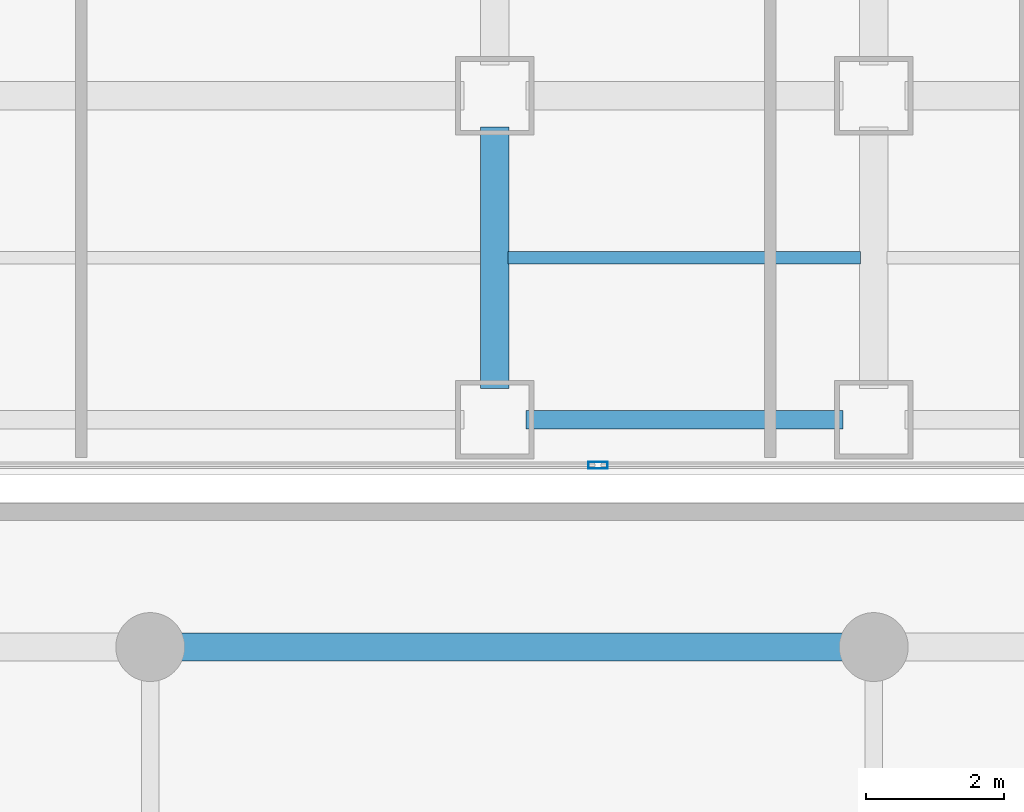
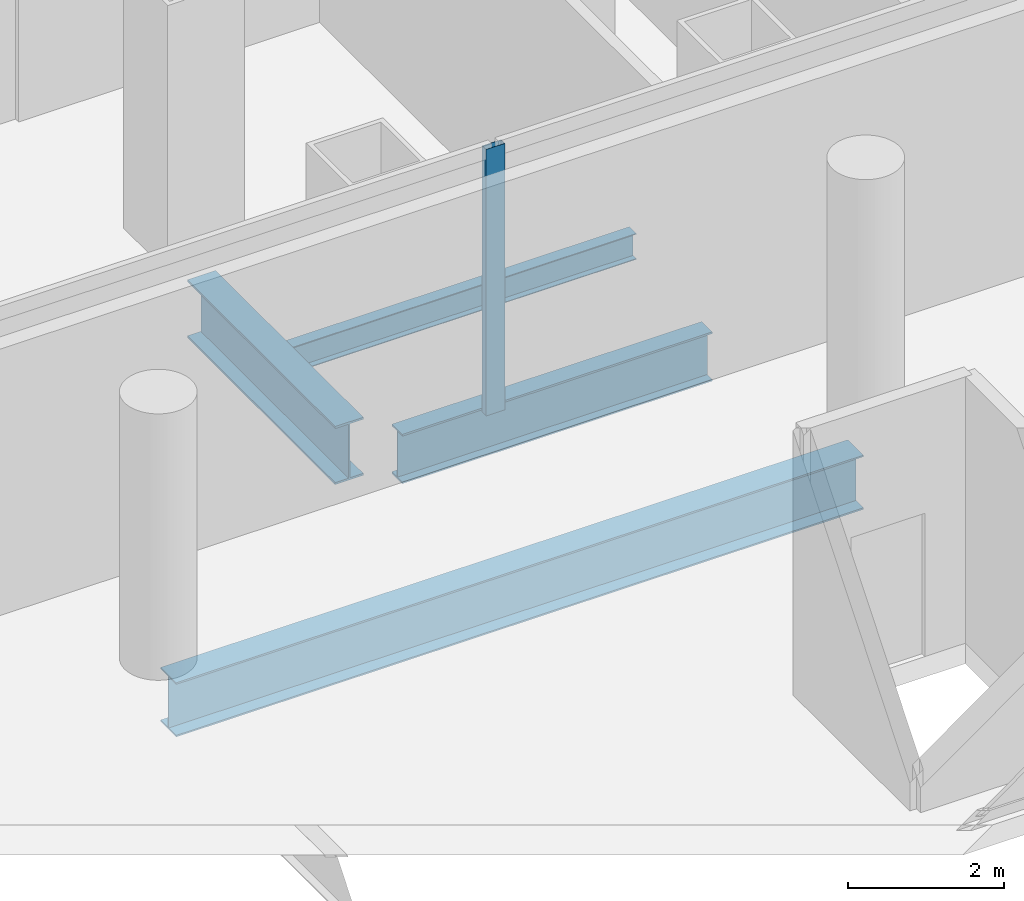
# One storey, part 8 of 26: 4 beams, 1 member, 1 element without a shape of its own.
"""IFC4 building model written with IfcOpenShell, lengths in metres."""

from ifc_helpers import new_model, si_unit, direction, frame, origin, origin_2d, place, context, subcontext, project, spatial, hollow_rectangle, i_section, extrude, source, transform, mapped, material, layer, layer_set, material_profile, profile_set, type_object, element, aggregate, save


model = new_model("IFC4")

# Units and contexts
model_context = context("Model", 3, precision=1e-05, world=origin(), true_north=direction((0.0, 1.0)))
body_context = subcontext(model_context, "Body", "Model", "MODEL_VIEW")
ifc_project = project(units=[si_unit("LENGTHUNIT", "METRE"), si_unit("AREAUNIT", "SQUARE_METRE"), si_unit("VOLUMEUNIT", "CUBIC_METRE"), si_unit("PLANEANGLEUNIT", "RADIAN"), si_unit("MASSUNIT", "GRAM", prefix="KILO")], contexts=[model_context])

# Site, building, storey
site_placement = place(None, origin())
site = spatial("IfcSite", under=ifc_project, at=site_placement, CompositionType="ELEMENT")
building_placement = place(site_placement, origin())
building = spatial("IfcBuilding", under=site, at=building_placement, Name="Kolveth Station Tower", CompositionType="ELEMENT")
storey_placement = place(building_placement, frame((0.0, 0.0, 4.5)))
storey = spatial("IfcBuildingStorey", under=building, at=storey_placement, Name="L01", CompositionType="ELEMENT", Elevation=4.5)

# Beams
ifc_material_1 = material(Name="Steel S355", Category="steel")
ifc_material_profile_1 = material_profile(ifc_material_1, i_section(OverallWidth=0.26904296875, OverallDepth=0.77490234375, WebThickness=0.01708984375, FlangeThickness=0.0283203125, at=origin_2d()), Name="W760x220")
ifc_profile_set_1 = profile_set([ifc_material_profile_1], Name="Steel S355")
beam_type_1 = type_object("IfcBeamType", Name="Beam_SP1", PredefinedType="SPANDREL", material=ifc_profile_set_1)
shared_shape_1 = source(origin(), body_context, "Body", "SweptSolid", [
    extrude(i_section(OverallWidth=0.26904296875, OverallDepth=0.77490234375, WebThickness=0.01708984375, FlangeThickness=0.0283203125, at=origin_2d()), origin(), (0.0, 0.0, 1.0), 4.60009765625),
])
beam_1_placement = place(storey_placement, frame((28.949951171875, 0.800048828125, -0.70751953125), z_axis=(1.0, 0.0, 0.0), x_axis=(0.0, 1.0, 0.0)))
element("IfcBeam", 1, at=beam_1_placement, inside=storey, type_object=beam_type_1, Name="L01 Perimeter Spandrel BM-L01-PS-4", PredefinedType="SPANDREL", context=body_context, shape_type="MappedRepresentation", body=[
    mapped(shared_shape_1, transform((0.0, 0.0, 0.0), x_axis=(1.0, 0.0, 0.0), y_axis=(0.0, 1.0, 0.0), z_axis=(0.0, 0.0, 1.0), scale=1.0)),
])
ifc_material_profile_2 = material_profile(ifc_material_1, i_section(OverallWidth=0.41796875, OverallDepth=0.912109375, WebThickness=0.019287109375, FlangeThickness=0.031982421875, at=origin_2d()), Name="W920x342")
ifc_profile_set_2 = profile_set([ifc_material_profile_2], Name="Steel S355")
beam_type_2 = type_object("IfcBeamType", Name="Beam_B1", PredefinedType="BEAM", material=ifc_profile_set_2)
shared_shape_2 = source(origin(), body_context, "Body", "SweptSolid", [
    extrude(i_section(OverallWidth=0.41796875, OverallDepth=0.912109375, WebThickness=0.019287109375, FlangeThickness=0.031982421875, at=origin_2d()), origin(), (0.0, 0.0, 1.0), 3.800048828125),
])
beam_2_placement = place(storey_placement, frame((28.5, 1.25, -0.77587890625), z_axis=(0.0, 1.0, 0.0), x_axis=(-1.0, 0.0, 0.0)))
element("IfcBeam", 2, at=beam_2_placement, inside=storey, type_object=beam_type_2, Name="L01 Primary Girder BM-L01-GX285-1", PredefinedType="BEAM", context=body_context, shape_type="MappedRepresentation", body=[
    mapped(shared_shape_2, transform((0.0, 0.0, 0.0), x_axis=(1.0, 0.0, 0.0), y_axis=(0.0, 1.0, 0.0), z_axis=(0.0, 0.0, 1.0), scale=1.0)),
])
ifc_material_profile_3 = material_profile(ifc_material_1, i_section(OverallWidth=0.177978515625, OverallDepth=0.406982421875, WebThickness=0.0078125, FlangeThickness=0.0126953125, at=origin_2d()), Name="W410x60")
ifc_profile_set_3 = profile_set([ifc_material_profile_3], Name="Steel S355")
beam_type_3 = type_object("IfcBeamType", Name="Beam_J1", PredefinedType="JOIST", material=ifc_profile_set_3)
shared_shape_3 = source(origin(), body_context, "Body", "SweptSolid", [
    extrude(i_section(OverallWidth=0.177978515625, OverallDepth=0.406982421875, WebThickness=0.0078125, FlangeThickness=0.0126953125, at=origin_2d()), origin(), (0.0, 0.0, 1.0), 5.10986328125),
])
beam_3_placement = place(storey_placement, frame((28.695068359375, 3.14990234375, -0.5234375), z_axis=(1.0, 0.0, 0.0), x_axis=(0.0, 1.0, 0.0)))
element("IfcBeam", 3, at=beam_3_placement, inside=storey, type_object=beam_type_3, Name="L01 Secondary Joist JST-L01-5-1", PredefinedType="JOIST", context=body_context, shape_type="MappedRepresentation", body=[
    mapped(shared_shape_3, transform((0.0, 0.0, 0.0), x_axis=(1.0, 0.0, 0.0), y_axis=(0.0, 1.0, 0.0), z_axis=(0.0, 0.0, 1.0), scale=1.0)),
])
ifc_material_profile_4 = material_profile(ifc_material_1, i_section(OverallWidth=0.40087890625, OverallDepth=0.85107421875, WebThickness=0.01611328125, FlangeThickness=0.025390625, at=origin_2d()), Name="W840x226")
ifc_profile_set_4 = profile_set([ifc_material_profile_4], Name="Steel S355")
beam_type_4 = type_object("IfcBeamType", Name="Beam_B2", PredefinedType="BEAM", material=ifc_profile_set_4)
shared_shape_4 = source(origin(), body_context, "Body", "SweptSolid", [
    extrude(i_section(OverallWidth=0.40087890625, OverallDepth=0.85107421875, WebThickness=0.01611328125, FlangeThickness=0.025390625, at=origin_2d()), origin(), (0.0, 0.0, 1.0), 10.2001953125),
])
beam_4_placement = place(storey_placement, frame((23.64990234375, -2.5, -0.74560546875), z_axis=(1.0, 0.0, 0.0), x_axis=(0.0, 1.0, 0.0)))
element("IfcBeam", 4, at=beam_4_placement, inside=storey, type_object=beam_type_4, Name="L01 Station Concourse Girder SBM-L01-SL2-3", PredefinedType="BEAM", context=body_context, shape_type="MappedRepresentation", body=[
    mapped(shared_shape_4, transform((0.0, 0.0, 0.0), x_axis=(1.0, 0.0, 0.0), y_axis=(0.0, 1.0, 0.0), z_axis=(0.0, 0.0, 1.0), scale=1.0)),
])

# Curtain wall, member
ifc_material_2 = material(Name="Black anodized aluminium 6063-T6 and clear station glass", Category="aluminium")
ifc_layer = layer(ifc_material_2, 0.239990234375)
ifc_layer_set = layer_set([ifc_layer], Name="Black anodized aluminium 6063-T6 and clear station glass")
curtain_wall_type = type_object("IfcCurtainWallType", Name="CurtainWall_CW-ST", PredefinedType="NOTDEFINED", material=ifc_layer_set)
curtain_wall_placement = place(storey_placement, origin())
curtain_wall = element("IfcCurtainWall", 5, at=curtain_wall_placement, inside=storey, type_object=curtain_wall_type, Name="L01 Tower Podium South Storefront Curtain Wall", PredefinedType="NOTDEFINED")
ifc_material_3 = material(Name="Black anodized aluminium 6063-T6", Category="aluminium")
ifc_material_profile_5 = material_profile(ifc_material_3, hollow_rectangle(XDim=0.10009765625, YDim=0.280029296875, WallThickness=0.0048828125, at=origin_2d()), Name="ALU-100x280x5")
ifc_profile_set_5 = profile_set([ifc_material_profile_5], Name="Black anodized aluminium 6063-T6")
member_type = type_object("IfcMemberType", Name="Mullion_ML-ST", PredefinedType="MULLION", material=ifc_profile_set_5)
shared_shape_5 = source(origin(), body_context, "Body", "SweptSolid", [
    extrude(hollow_rectangle(XDim=0.10009765625, YDim=0.280029296875, WallThickness=0.0048828125, at=origin_2d()), origin(), (0.0, 0.0, 1.0), 4.179931640625),
])
member_placement = place(storey_placement, frame((30.0, 0.139892578125, 0.0), z_axis=(0.0, 0.0, 1.0), x_axis=(0.0, 1.0, 0.0)))
member = element("IfcMember", 6, at=member_placement, type_object=member_type, Name="CW-ST mullion 3", PredefinedType="MULLION", context=body_context, shape_type="MappedRepresentation", body=[
    mapped(shared_shape_5, transform((0.0, 0.0, 0.0), x_axis=(1.0, 0.0, 0.0), y_axis=(0.0, 1.0, 0.0), z_axis=(0.0, 0.0, 1.0), scale=1.0)),
])
aggregate(curtain_wall, [member])

save(model, "model.ifc")
